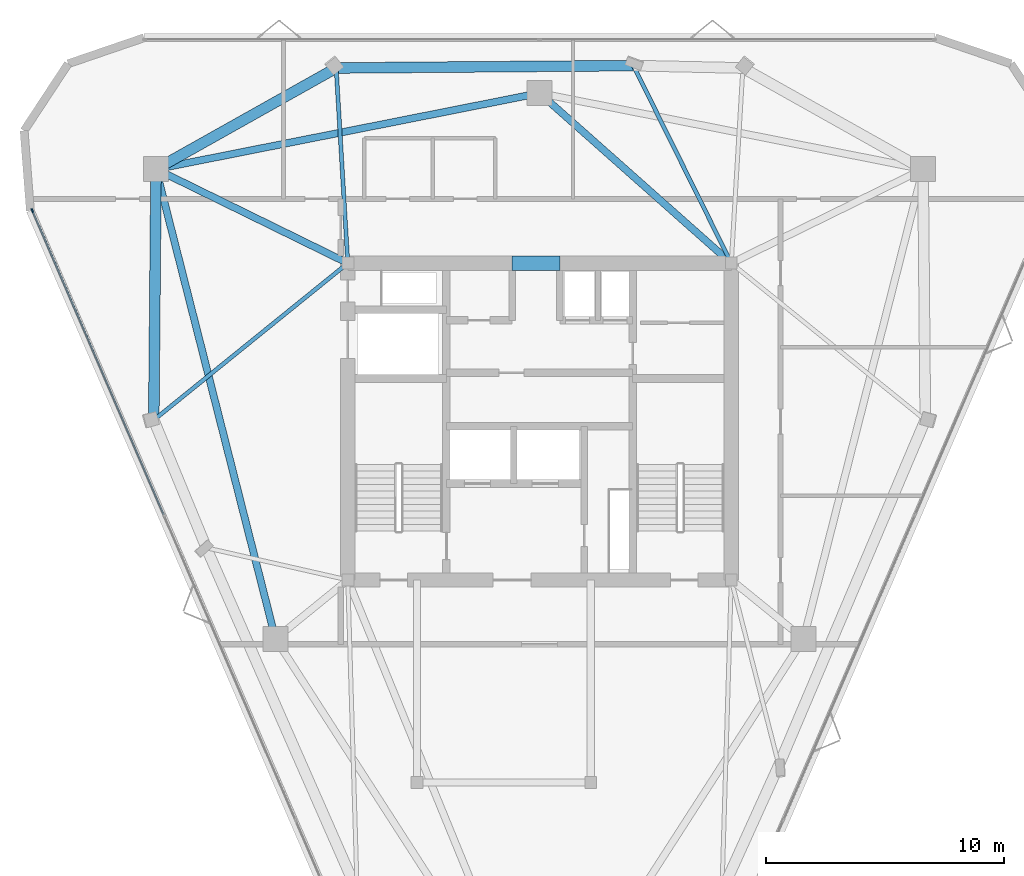
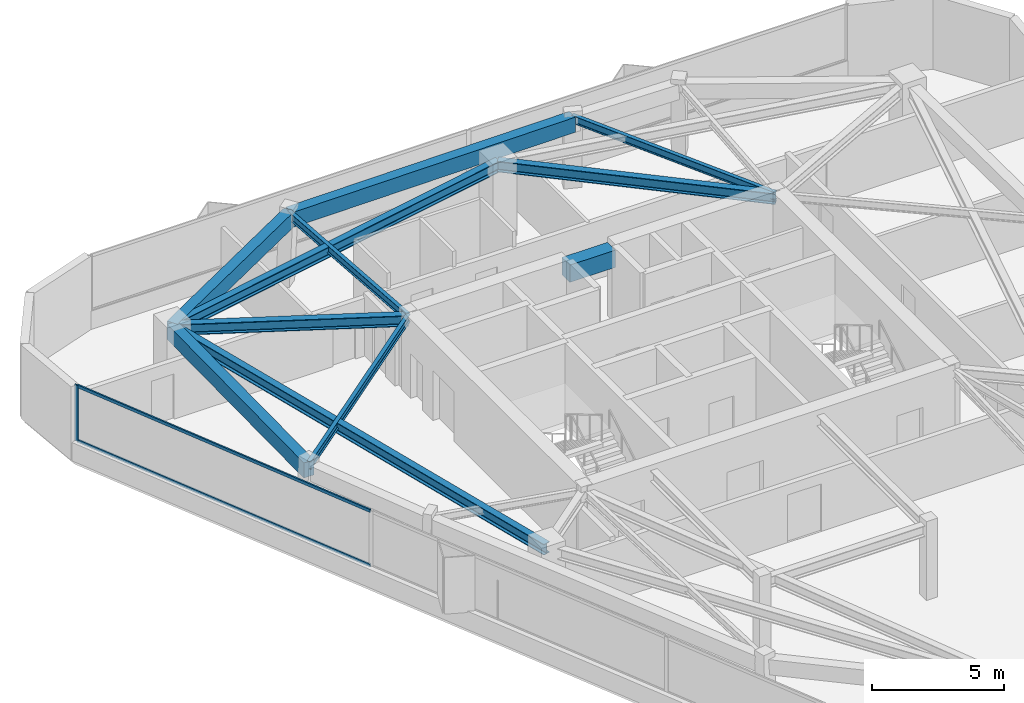
# One storey, part 5 of 11: 11 beams, 3 members, 1 element without a shape of its own.
"""IFC4 building model written with IfcOpenShell, lengths in metres."""

from ifc_helpers import new_model, si_unit, direction, frame, origin, origin_2d, place, context, subcontext, project, spatial, rectangle, i_section, extrude, material, layer, layer_set, material_profile, profile_set, type_object, element, aggregate, save


model = new_model("IFC4")

# Units and contexts
model_context = context("Model", 3, precision=1e-05, world=origin(), true_north=direction((0.0, 1.0)))
body_context = subcontext(model_context, "Body", "Model", "MODEL_VIEW")
ifc_project = project(units=[si_unit("LENGTHUNIT", "METRE"), si_unit("AREAUNIT", "SQUARE_METRE"), si_unit("VOLUMEUNIT", "CUBIC_METRE"), si_unit("PLANEANGLEUNIT", "RADIAN"), si_unit("MASSUNIT", "GRAM", prefix="KILO")], contexts=[model_context])

# Site, building, storey
site_placement = place(None, origin())
site = spatial("IfcSite", under=ifc_project, at=site_placement, CompositionType="ELEMENT")
building_placement = place(site_placement, origin())
building = spatial("IfcBuilding", under=site, at=building_placement, Name="Talyreon Biosciences Tower", CompositionType="ELEMENT")
storey_placement = place(building_placement, frame((0.0, 0.0, 283.800048828125)))
storey = spatial("IfcBuildingStorey", under=building, at=storey_placement, Name="L75", CompositionType="ELEMENT", Elevation=283.800048828125)

# Curtain wall, members
ifc_material_1 = material(Name="Thermally broken aluminium and low-E glazing", Category="aluminium")
ifc_layer = layer(ifc_material_1, 0.175048828125)
ifc_layer_set = layer_set([ifc_layer], Name="Thermally broken aluminium and low-E glazing")
curtain_wall_type = type_object("IfcCurtainWallType", Name="CurtainWall_Zone5CompLab", PredefinedType="NOTDEFINED", material=ifc_layer_set)
curtain_wall_placement = place(storey_placement, origin())
curtain_wall = element("IfcCurtainWall", 1, at=curtain_wall_placement, inside=storey, type_object=curtain_wall_type, Name="L75 Unitised Curtain Wall FCW-L75-00", PredefinedType="NOTDEFINED")
ifc_material_2 = material(Name="Anodised thermally broken aluminium", Category="aluminium")
ifc_material_profile_1 = material_profile(ifc_material_2, rectangle(XDim=0.06494140625, YDim=0.179931640625, at=origin_2d()), Name="ALUM MULLION 65x180")
ifc_profile_set_1 = profile_set([ifc_material_profile_1], Name="Anodised thermally broken aluminium")
member_type_1 = type_object("IfcMemberType", Name="CWMullion_65x180", PredefinedType="MULLION", material=ifc_profile_set_1)
member_1_placement = place(storey_placement, frame((44.704833984375, 76.857177734375, 0.81005859375), z_axis=(0.0, 0.0, 1.0), x_axis=(-0.918022435016, -0.396528446404, 0.0)))
member_1 = element("IfcMember", 2, at=member_1_placement, type_object=member_type_1, Name="CW6 mullion 4", PredefinedType="MULLION", context=body_context, shape_type="SweptSolid", body=[
    extrude(rectangle(XDim=0.06494140625, YDim=0.179931640625, at=origin_2d()), origin(), (0.0, 0.0, 1.0), 2.58984375),
])
ifc_material_profile_2 = material_profile(ifc_material_2, rectangle(XDim=0.06494140625, YDim=0.139892578125, at=origin_2d()), Name="ALUM TRANSOM 65x140")
ifc_profile_set_2 = profile_set([ifc_material_profile_2], Name="Anodised thermally broken aluminium")
member_type_2 = type_object("IfcMemberType", Name="CWTransom_65x140", PredefinedType="USERDEFINED", material=ifc_profile_set_2)
member_2_placement = place(storey_placement, frame((50.215087890625, 64.100341796875, 0.842529296875), z_axis=(-0.396529792405, 0.918021853626, 0.0), x_axis=(-0.918021853626, -0.396529792405, 0.0)))
member_2 = element("IfcMember", 3, at=member_2_placement, type_object=member_type_2, Name="CW6 transom 3.1", ObjectType="TRANSOM", PredefinedType="USERDEFINED", context=body_context, shape_type="SweptSolid", body=[
    extrude(rectangle(XDim=0.06494140625, YDim=0.139892578125, at=origin_2d()), origin(), (0.0, 0.0, 1.0), 13.863525390625),
])
member_3_placement = place(storey_placement, frame((50.215087890625, 64.100341796875, 3.367431640625), z_axis=(-0.396529792405, 0.918021853626, 0.0), x_axis=(-0.918021853626, -0.396529792405, 0.0)))
member_3 = element("IfcMember", 4, at=member_3_placement, type_object=member_type_2, Name="CW6 transom 3.2", ObjectType="TRANSOM", PredefinedType="USERDEFINED", context=body_context, shape_type="SweptSolid", body=[
    extrude(rectangle(XDim=0.06494140625, YDim=0.139892578125, at=origin_2d()), origin(), (0.0, 0.0, 1.0), 13.863525390625),
])
aggregate(curtain_wall, [member_1, member_2, member_3])

# Beams
ifc_material_3 = material(Name="Concrete C50/60", Category="concrete")
ifc_material_profile_3 = material_profile(ifc_material_3, rectangle(XDim=0.60009765625, YDim=0.800048828125, at=origin_2d()), Name="RCB 600x800")
ifc_profile_set_3 = profile_set([ifc_material_profile_3], Name="Concrete C50/60")
beam_type_1 = type_object("IfcBeamType", Name="CoreCouplingLintel_600x800", PredefinedType="LINTEL", material=ifc_profile_set_3)
beam_1_placement = place(storey_placement, frame((64.85009765625, 74.64990234375, 3.0), z_axis=(1.0, 0.0, 0.0), x_axis=(0.0, 1.0, 0.0)))
element("IfcBeam", 5, at=beam_1_placement, inside=storey, type_object=beam_type_1, Name="L75 Core Coupling Lintel", PredefinedType="LINTEL", context=body_context, shape_type="SweptSolid", body=[
    extrude(rectangle(XDim=0.60009765625, YDim=0.800048828125, at=origin_2d()), origin(), (0.0, 0.0, 1.0), 2.0),
])
ifc_material_4 = material(Name="Precast concrete C45/55", Category="concrete")
ifc_material_profile_4 = material_profile(ifc_material_4, rectangle(XDim=0.449951171875, YDim=0.699951171875, at=origin_2d()), Name="RCB 450x700")
ifc_profile_set_4 = profile_set([ifc_material_profile_4], Name="Precast concrete C45/55")
beam_type_2 = type_object("IfcBeamType", Name="ExpressedSpandrel_450x700", PredefinedType="SPANDREL", material=ifc_profile_set_4)
beam_2_placement = place(storey_placement, frame((69.940673828125, 82.945068359375, 3.050048828125), z_axis=(-0.999967829781, -0.008021184634, 0.0), x_axis=(0.008021184634, -0.999967829781, 0.0)))
element("IfcBeam", 6, at=beam_2_placement, inside=storey, type_object=beam_type_2, Name="L75 Expressed Horizontal Concrete Spandrel 07", PredefinedType="SPANDREL", context=body_context, shape_type="SweptSolid", body=[
    extrude(rectangle(XDim=0.449951171875, YDim=0.699951171875, at=origin_2d()), origin(), (0.0, 0.0, 1.0), 12.479248046875),
])
beam_3_placement = place(storey_placement, frame((57.4619140625, 82.844970703125, 3.050048828125), z_axis=(-0.871995377464, -0.489514107744, 0.0), x_axis=(0.489514107744, -0.871995377464, 0.0)))
element("IfcBeam", 7, at=beam_3_placement, inside=storey, type_object=beam_type_2, Name="L75 Expressed Horizontal Concrete Spandrel 08", PredefinedType="SPANDREL", context=body_context, shape_type="SweptSolid", body=[
    extrude(rectangle(XDim=0.449951171875, YDim=0.699951171875, at=origin_2d()), origin(), (0.0, 0.0, 1.0), 8.674560546875),
])
beam_4_placement = place(storey_placement, frame((49.897705078125, 78.5986328125, 3.050048828125), z_axis=(-0.008990691898, -0.999959582913, 0.0), x_axis=(0.999959582913, -0.008990691898, 0.0)))
element("IfcBeam", 8, at=beam_4_placement, inside=storey, type_object=beam_type_2, Name="L75 Expressed Horizontal Concrete Spandrel 09", PredefinedType="SPANDREL", context=body_context, shape_type="SweptSolid", body=[
    extrude(rectangle(XDim=0.449951171875, YDim=0.699951171875, at=origin_2d()), origin(), (0.0, 0.0, 1.0), 10.5361328125),
])
ifc_material_5 = material(Name="Steel SM355", Category="steel")
ifc_material_profile_5 = material_profile(ifc_material_5, i_section(OverallWidth=0.300048828125, OverallDepth=0.5, WebThickness=0.014404296875, FlangeThickness=0.028076171875, FilletRadius=0.027099609375, at=origin_2d()), Name="HE500B")
ifc_profile_set_5 = profile_set([ifc_material_profile_5], Name="Steel SM355")
beam_type_3 = type_object("IfcBeamType", Name="SteelBeam_HE500B", PredefinedType="BEAM", material=ifc_profile_set_5)
beam_5_placement = place(storey_placement, frame((66.0, 81.788818359375, 3.14990234375), z_axis=(-0.980933730698, -0.194342522311, 0.0), x_axis=(0.194342522311, -0.980933730698, 0.0)))
element("IfcBeam", 9, at=beam_5_placement, inside=storey, type_object=beam_type_3, Name="L75 Mega-Ring Girder 4", PredefinedType="BEAM", context=body_context, shape_type="SweptSolid", body=[
    extrude(i_section(OverallWidth=0.300048828125, OverallDepth=0.5, WebThickness=0.014404296875, FlangeThickness=0.028076171875, FilletRadius=0.027099609375, at=origin_2d()), origin(), (0.0, 0.0, 1.0), 16.415283203125),
])
beam_6_placement = place(storey_placement, frame((49.897705078125, 78.5986328125, 3.14990234375), z_axis=(0.246537082299, -0.969133358755, 0.0), x_axis=(0.969133358755, 0.246537082299, 0.0)))
element("IfcBeam", 10, at=beam_6_placement, inside=storey, type_object=beam_type_3, Name="L75 Mega-Ring Girder 5", PredefinedType="BEAM", context=body_context, shape_type="SweptSolid", body=[
    extrude(i_section(OverallWidth=0.300048828125, OverallDepth=0.5, WebThickness=0.014404296875, FlangeThickness=0.028076171875, FilletRadius=0.027099609375, at=origin_2d()), origin(), (0.0, 0.0, 1.0), 20.34619140625),
])
beam_7_placement = place(storey_placement, frame((74.050048828125, 74.64990234375, 3.14990234375), z_axis=(-0.748178733955, 0.663497235908, 0.0), x_axis=(-0.663497235908, -0.748178733955, 0.0)))
element("IfcBeam", 11, at=beam_7_placement, inside=storey, type_object=beam_type_3, Name="L75 Radial Primary Girder 4", PredefinedType="BEAM", context=body_context, shape_type="SweptSolid", body=[
    extrude(i_section(OverallWidth=0.300048828125, OverallDepth=0.5, WebThickness=0.014404296875, FlangeThickness=0.028076171875, FilletRadius=0.027099609375, at=origin_2d()), origin(), (0.0, 0.0, 1.0), 10.759521484375),
])
beam_8_placement = place(storey_placement, frame((57.949951171875, 74.64990234375, 3.14990234375), z_axis=(-0.897852360314, 0.440296648952, 0.0), x_axis=(-0.440296648952, -0.897852360314, 0.0)))
element("IfcBeam", 12, at=beam_8_placement, inside=storey, type_object=beam_type_3, Name="L75 Radial Primary Girder 5", PredefinedType="BEAM", context=body_context, shape_type="SweptSolid", body=[
    extrude(i_section(OverallWidth=0.300048828125, OverallDepth=0.5, WebThickness=0.014404296875, FlangeThickness=0.028076171875, FilletRadius=0.027099609375, at=origin_2d()), origin(), (0.0, 0.0, 1.0), 8.96826171875),
])
ifc_material_profile_6 = material_profile(ifc_material_5, i_section(OverallWidth=0.169921875, OverallDepth=0.360107421875, WebThickness=0.008056640625, FlangeThickness=0.0126953125, FilletRadius=0.01806640625, at=origin_2d()), Name="IPE360")
ifc_profile_set_6 = profile_set([ifc_material_profile_6], Name="Steel SM355")
beam_type_4 = type_object("IfcBeamType", Name="SteelJoist_IPE360", PredefinedType="JOIST", material=ifc_profile_set_6)
beam_9_placement = place(storey_placement, frame((74.050048828125, 74.64990234375, 3.219970703125), z_axis=(-0.443908661019, 0.89607203989, 0.0), x_axis=(-0.89607203989, -0.443908661019, 0.0)))
element("IfcBeam", 13, at=beam_9_placement, inside=storey, type_object=beam_type_4, Name="L75 Radial Composite Floor Joist PL-N", PredefinedType="JOIST", context=body_context, shape_type="SweptSolid", body=[
    extrude(i_section(OverallWidth=0.169921875, OverallDepth=0.360107421875, WebThickness=0.008056640625, FlangeThickness=0.0126953125, FilletRadius=0.01806640625, at=origin_2d()), origin(), (0.0, 0.0, 1.0), 9.25732421875),
])
beam_10_placement = place(storey_placement, frame((57.949951171875, 74.64990234375, 3.219970703125), z_axis=(-0.059447215104, 0.998231450424, 0.0), x_axis=(-0.998231450424, -0.059447215104, 0.0)))
element("IfcBeam", 14, at=beam_10_placement, inside=storey, type_object=beam_type_4, Name="L75 Radial Composite Floor Joist PC-N2", PredefinedType="JOIST", context=body_context, shape_type="SweptSolid", body=[
    extrude(i_section(OverallWidth=0.169921875, OverallDepth=0.360107421875, WebThickness=0.008056640625, FlangeThickness=0.0126953125, FilletRadius=0.01806640625, at=origin_2d()), origin(), (0.0, 0.0, 1.0), 8.20947265625),
])
beam_11_placement = place(storey_placement, frame((57.949951171875, 74.64990234375, 3.219970703125), z_axis=(-0.777630026941, -0.628722149442, 0.0), x_axis=(0.628722149442, -0.777630026941, 0.0)))
element("IfcBeam", 15, at=beam_11_placement, inside=storey, type_object=beam_type_4, Name="L75 Radial Composite Floor Joist PC-SW1", PredefinedType="JOIST", context=body_context, shape_type="SweptSolid", body=[
    extrude(i_section(OverallWidth=0.169921875, OverallDepth=0.360107421875, WebThickness=0.008056640625, FlangeThickness=0.0126953125, FilletRadius=0.01806640625, at=origin_2d()), origin(), (0.0, 0.0, 1.0), 10.4765625),
])

save(model, "model.ifc")
